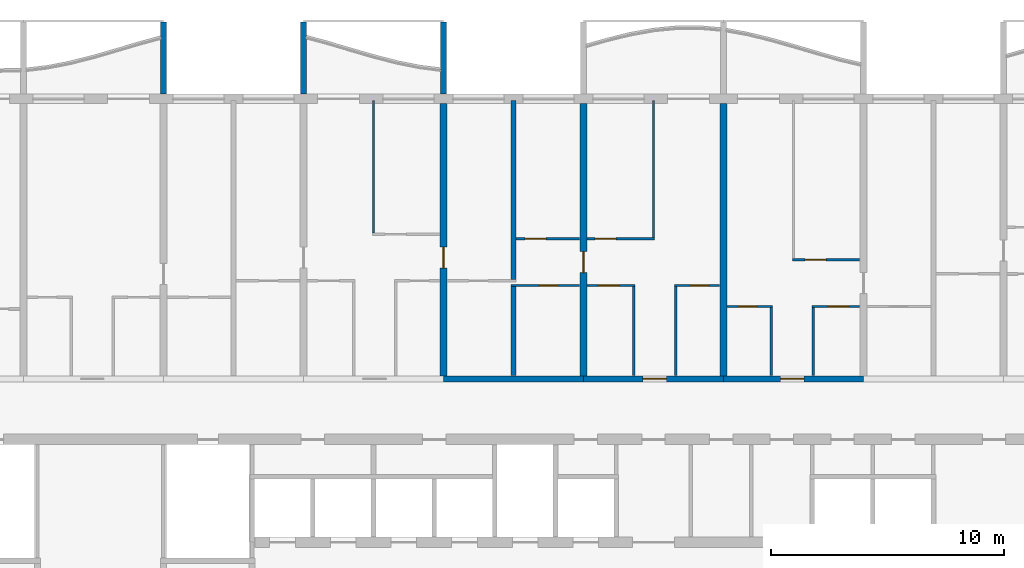
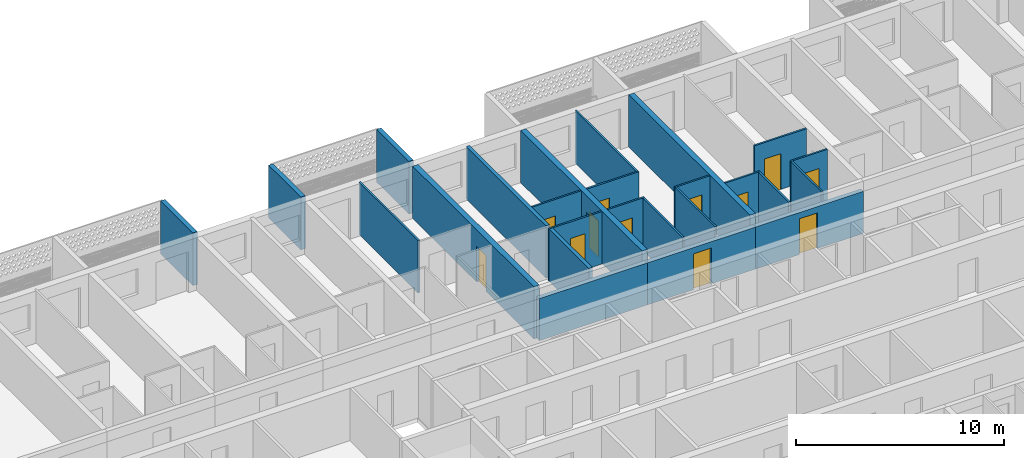
# One storey, part 9 of 31: 25 walls, 12 doors, 12 openings.
"""IFC4 building model written with IfcOpenShell, lengths in metres."""

from ifc_helpers import new_model, si_unit, direction, frame, frame_2d, origin, place, context, subcontext, project, spatial, polyline, rectangle, outline, extrude, source, transform, mapped, material, layer, layer_set, type_object, element, fill, save


model = new_model("IFC4")

# Units and contexts
model_context = context("Model", 3, precision=1e-05, world=origin(), true_north=direction((0.0, 1.0)))
body_context = subcontext(model_context, "Body", "Model", "MODEL_VIEW")
ifc_project = project(units=[si_unit("LENGTHUNIT", "METRE"), si_unit("AREAUNIT", "SQUARE_METRE"), si_unit("VOLUMEUNIT", "CUBIC_METRE"), si_unit("PLANEANGLEUNIT", "RADIAN"), si_unit("MASSUNIT", "GRAM", prefix="KILO")], contexts=[model_context])

# Site, building, storey
site_placement = place(None, origin())
site = spatial("IfcSite", under=ifc_project, at=site_placement, CompositionType="ELEMENT")
building_placement = place(site_placement, origin())
building = spatial("IfcBuilding", under=site, at=building_placement, Name="Poui Terraces", CompositionType="ELEMENT")
storey_placement = place(building_placement, frame((0.0, 0.0, 148.800048828125)))
storey = spatial("IfcBuildingStorey", under=building, at=storey_placement, Name="L41", CompositionType="ELEMENT", Elevation=148.800048828125)

# Wall
ifc_material_1 = material(Name="Concrete 65 MPa", Category="concrete")
ifc_layer_1 = layer(ifc_material_1, 0.25)
ifc_layer_set_1 = layer_set([ifc_layer_1], Name="Concrete 65 MPa")
wall_type_1 = type_object("IfcWallType", Name="CORRIDOR WALL 250 65MPa", PredefinedType="SHEAR", material=ifc_layer_set_1)
wall_1_placement = place(storey_placement, frame((42.0, 30.39990234375, 0.0), z_axis=(0.0, 0.0, 1.0), x_axis=(1.0, 0.0, 0.0)))
element("IfcWall", 1, at=wall_1_placement, inside=storey, type_object=wall_type_1, Name="CORRIDOR WALL LINE E BAY 6", PredefinedType="SHEAR", context=body_context, shape_type="SweptSolid", body=[
    extrude(rectangle(XDim=6.0, YDim=0.25, at=frame_2d((3.0, 0.0))), origin(), (0.0, 0.0, 1.0), 2.469970703125),
])

# Wall, opening, door
wall_2_placement = place(storey_placement, frame((48.0, 30.39990234375, 0.0), z_axis=(0.0, 0.0, 1.0), x_axis=(1.0, 0.0, 0.0)))
wall_2 = element("IfcWall", 2, at=wall_2_placement, inside=storey, type_object=wall_type_1, Name="CORRIDOR WALL LINE E BAY 7", PredefinedType="SHEAR", context=body_context, shape_type="SweptSolid", body=[
    extrude(rectangle(XDim=6.0, YDim=0.25, at=frame_2d((3.0, 0.0))), origin(), (0.0, 0.0, 1.0), 2.469970703125),
])
opening_1_placement = place(wall_2_placement, frame((2.550048828125, 0.0, 0.0)))
opening_1 = element("IfcOpeningElement", 3, at=opening_1_placement, cuts=wall_2, Name="Opening FD30S", PredefinedType="OPENING", context=body_context, shape_type="SweptSolid", body=[
    extrude(rectangle(XDim=1.0, YDim=2.10009765625, at=frame_2d((0.5, 1.050048828125))), frame((0.0, 0.135009765625, 0.0), z_axis=(0.0, -1.0, 0.0), x_axis=(1.0, 0.0, 0.0)), (0.0, 0.0, 1.0), 0.27001953125),
])
ifc_material_2 = material(Name="Steel fire door", Category="steel")
door_type_1 = type_object("IfcDoorType", Name="FLAT ENTRANCE DOOR 1000 X 2100", OperationType="NOTDEFINED", PredefinedType="DOOR", material=ifc_material_2)
door_1_placement = place(opening_1_placement, origin())
door_1 = element("IfcDoor", 4, at=door_1_placement, inside=storey, type_object=door_type_1, Name="FLAT ENTRANCE DOOR 055", OperationType="SINGLE_SWING_RIGHT", OverallHeight=2.10009765625, OverallWidth=1.0, PredefinedType="DOOR", context=body_context, shape_type="SweptSolid", body=[
    extrude(rectangle(XDim=1.0, YDim=2.10009765625, at=frame_2d((0.5, 1.050048828125))), frame((0.0, 0.02490234375, 0.0), z_axis=(0.0, -1.0, 0.0), x_axis=(1.0, 0.0, 0.0)), (0.0, 0.0, 1.0), 0.050048828125),
])
fill(opening_1, door_1)

wall_3_placement = place(storey_placement, frame((54.0, 30.39990234375, 0.0), z_axis=(0.0, 0.0, 1.0), x_axis=(1.0, 0.0, 0.0)))
wall_3 = element("IfcWall", 5, at=wall_3_placement, inside=storey, type_object=wall_type_1, Name="CORRIDOR WALL LINE E BAY 8", PredefinedType="SHEAR", context=body_context, shape_type="SweptSolid", body=[
    extrude(rectangle(XDim=6.0, YDim=0.25, at=frame_2d((3.0, 0.0))), origin(), (0.0, 0.0, 1.0), 2.469970703125),
])
opening_2_placement = place(wall_3_placement, frame((2.449951171875, 0.0, 0.0)))
opening_2 = element("IfcOpeningElement", 6, at=opening_2_placement, cuts=wall_3, Name="Opening FD30S", PredefinedType="OPENING", context=body_context, shape_type="SweptSolid", body=[
    extrude(rectangle(XDim=1.0, YDim=2.10009765625, at=frame_2d((0.5, 1.050048828125))), frame((0.0, 0.135009765625, 0.0), z_axis=(0.0, -1.0, 0.0), x_axis=(1.0, 0.0, 0.0)), (0.0, 0.0, 1.0), 0.27001953125),
])
door_2_placement = place(opening_2_placement, origin())
door_2 = element("IfcDoor", 7, at=door_2_placement, inside=storey, type_object=door_type_1, Name="FLAT ENTRANCE DOOR 059", OperationType="SINGLE_SWING_LEFT", OverallHeight=2.10009765625, OverallWidth=1.0, PredefinedType="DOOR", context=body_context, shape_type="SweptSolid", body=[
    extrude(rectangle(XDim=1.0, YDim=2.10009765625, at=frame_2d((0.5, 1.050048828125))), frame((0.0, 0.02490234375, 0.0), z_axis=(0.0, -1.0, 0.0), x_axis=(1.0, 0.0, 0.0)), (0.0, 0.0, 1.0), 0.050048828125),
])
fill(opening_2, door_2)

ifc_layer_2 = layer(ifc_material_1, 0.300048828125)
ifc_layer_set_2 = layer_set([ifc_layer_2], Name="Concrete 65 MPa")
wall_type_2 = type_object("IfcWallType", Name="CROSS WALL 300 65MPa", PredefinedType="SHEAR", material=ifc_layer_set_2)
wall_4_placement = place(storey_placement, frame((42.0, 30.52490234375, 0.0), z_axis=(0.0, 0.0, 1.0), x_axis=(0.0, 1.0, 0.0)))
wall_4 = element("IfcWall", 8, at=wall_4_placement, inside=storey, type_object=wall_type_2, Name="CROSS WALL LINE 8 NORTH", PredefinedType="SHEAR", context=body_context, shape_type="SweptSolid", body=[
    extrude(rectangle(XDim=11.675048828125, YDim=0.300048828125, at=frame_2d((5.83740234375, 0.0))), origin(), (0.0, 0.0, 1.0), 3.070068359375),
])
opening_3_placement = place(wall_4_placement, frame((4.625, 0.0, 0.0)))
opening_3 = element("IfcOpeningElement", 9, at=opening_3_placement, cuts=wall_4, Name="Opening D90", PredefinedType="OPENING", context=body_context, shape_type="SweptSolid", body=[
    extrude(rectangle(XDim=0.89990234375, YDim=2.10009765625, at=frame_2d((0.449951171875, 1.050048828125))), frame((0.0, 0.16015625, 0.0), z_axis=(0.0, -1.0, 0.0), x_axis=(1.0, 0.0, 0.0)), (0.0, 0.0, 1.0), 0.320068359375),
])
ifc_material_3 = material(Name="Solid core timber door", Category="wood")
door_type_2 = type_object("IfcDoorType", Name="INTERNAL DOOR 900 X 2100", OperationType="NOTDEFINED", PredefinedType="DOOR", material=ifc_material_3)
door_3_placement = place(opening_3_placement, frame((0.89990234375, 0.0, 0.0), z_axis=(0.0, 0.0, 1.0), x_axis=(-1.0, 0.0, 0.0)))
door_3 = element("IfcDoor", 10, at=door_3_placement, inside=storey, type_object=door_type_2, Name="INTERNAL DOOR 049", OperationType="SINGLE_SWING_RIGHT", OverallHeight=2.10009765625, OverallWidth=0.89990234375, PredefinedType="DOOR", context=body_context, shape_type="SweptSolid", body=[
    extrude(rectangle(XDim=0.89990234375, YDim=2.10009765625, at=frame_2d((0.449951171875, 1.050048828125))), frame((0.0, 0.02490234375, 0.0), z_axis=(0.0, -1.0, 0.0), x_axis=(1.0, 0.0, 0.0)), (0.0, 0.0, 1.0), 0.050048828125),
])
fill(opening_3, door_3)

wall_5_placement = place(storey_placement, frame((48.0, 30.52490234375, 0.0), z_axis=(0.0, 0.0, 1.0), x_axis=(0.0, 1.0, 0.0)))
wall_5 = element("IfcWall", 11, at=wall_5_placement, inside=storey, type_object=wall_type_2, Name="CROSS WALL LINE 9 NORTH", PredefinedType="SHEAR", context=body_context, shape_type="SweptSolid", body=[
    extrude(rectangle(XDim=11.675048828125, YDim=0.300048828125, at=frame_2d((5.83740234375, 0.0))), origin(), (0.0, 0.0, 1.0), 3.070068359375),
])
opening_4_placement = place(wall_5_placement, frame((4.425048828125, 0.0, 0.0)))
opening_4 = element("IfcOpeningElement", 12, at=opening_4_placement, cuts=wall_5, Name="Opening D90", PredefinedType="OPENING", context=body_context, shape_type="SweptSolid", body=[
    extrude(rectangle(XDim=0.89990234375, YDim=2.10009765625, at=frame_2d((0.449951171875, 1.050048828125))), frame((0.0, 0.16015625, 0.0), z_axis=(0.0, -1.0, 0.0), x_axis=(1.0, 0.0, 0.0)), (0.0, 0.0, 1.0), 0.320068359375),
])
door_4_placement = place(opening_4_placement, frame((0.89990234375, 0.0, 0.0), z_axis=(0.0, 0.0, 1.0), x_axis=(-1.0, 0.0, 0.0)))
door_4 = element("IfcDoor", 13, at=door_4_placement, inside=storey, type_object=door_type_2, Name="INTERNAL DOOR 052", OperationType="SINGLE_SWING_RIGHT", OverallHeight=2.10009765625, OverallWidth=0.89990234375, PredefinedType="DOOR", context=body_context, shape_type="SweptSolid", body=[
    extrude(rectangle(XDim=0.89990234375, YDim=2.10009765625, at=frame_2d((0.449951171875, 1.050048828125))), frame((0.0, 0.02490234375, 0.0), z_axis=(0.0, -1.0, 0.0), x_axis=(1.0, 0.0, 0.0)), (0.0, 0.0, 1.0), 0.050048828125),
])
fill(opening_4, door_4)

# Wall
wall_6_placement = place(storey_placement, frame((54.0, 30.52490234375, 0.0), z_axis=(0.0, 0.0, 1.0), x_axis=(0.0, 1.0, 0.0)))
element("IfcWall", 14, at=wall_6_placement, inside=storey, type_object=wall_type_2, Name="CROSS WALL LINE 10 NORTH", PredefinedType="SHEAR", context=body_context, shape_type="SweptSolid", body=[
    extrude(rectangle(XDim=11.675048828125, YDim=0.300048828125, at=frame_2d((5.83740234375, 0.0))), origin(), (0.0, 0.0, 1.0), 3.070068359375),
])

# Wall, opening, door
ifc_material_4 = material(Name="Plasterboard partition")
ifc_layer_3 = layer(ifc_material_4, 0.10009765625)
ifc_layer_set_3 = layer_set([ifc_layer_3], Name="Plasterboard partition")
wall_type_3 = type_object("IfcWallType", Name="FLAT PARTITION 100", PredefinedType="PARTITIONING", material=ifc_layer_set_3)
wall_7_placement = place(storey_placement, frame((54.159912109375, 33.5, 0.0), z_axis=(0.0, 0.0, 1.0), x_axis=(1.0, 0.0, 0.0)))
wall_7 = element("IfcWall", 15, at=wall_7_placement, inside=storey, type_object=wall_type_3, Name="FLAT PARTITION 100", PredefinedType="PARTITIONING", context=body_context, shape_type="SweptSolid", body=[
    extrude(rectangle(XDim=1.940185546875, YDim=0.10009765625, at=frame_2d((0.97021484375, 0.0))), origin(), (0.0, 0.0, 1.0), 3.070068359375),
])
opening_5_placement = place(wall_7_placement, frame((0.465087890625, 0.0, 0.0)))
opening_5 = element("IfcOpeningElement", 16, at=opening_5_placement, cuts=wall_7, Name="Opening D80", PredefinedType="OPENING", context=body_context, shape_type="SweptSolid", body=[
    extrude(rectangle(XDim=0.800048828125, YDim=2.10009765625, at=frame_2d((0.39990234375, 1.050048828125))), frame((0.0, 0.06005859375, 0.0), z_axis=(0.0, -1.0, 0.0), x_axis=(1.0, 0.0, 0.0)), (0.0, 0.0, 1.0), 0.1201171875),
])
door_type_3 = type_object("IfcDoorType", Name="BATHROOM, LAUNDRY AND STORE DOOR 800 X 2100", OperationType="NOTDEFINED", PredefinedType="DOOR", material=ifc_material_3)
door_5_placement = place(opening_5_placement, frame((0.800048828125, 0.0, 0.0), z_axis=(0.0, 0.0, 1.0), x_axis=(-1.0, 0.0, 0.0)))
door_5 = element("IfcDoor", 17, at=door_5_placement, inside=storey, type_object=door_type_3, Name="BATHROOM, LAUNDRY AND STORE DOOR 058", OperationType="SINGLE_SWING_LEFT", OverallHeight=2.10009765625, OverallWidth=0.800048828125, PredefinedType="DOOR", context=body_context, shape_type="SweptSolid", body=[
    extrude(rectangle(XDim=0.800048828125, YDim=2.10009765625, at=frame_2d((0.39990234375, 1.050048828125))), frame((0.0, 0.02490234375, 0.0), z_axis=(0.0, -1.0, 0.0), x_axis=(1.0, 0.0, 0.0)), (0.0, 0.0, 1.0), 0.050048828125),
])
fill(opening_5, door_5)

wall_8_placement = place(storey_placement, frame((57.800048828125, 33.5, 0.0), z_axis=(0.0, 0.0, 1.0), x_axis=(1.0, 0.0, 0.0)))
wall_8 = element("IfcWall", 18, at=wall_8_placement, inside=storey, type_object=wall_type_3, Name="FLAT PARTITION 100", PredefinedType="PARTITIONING", context=body_context, shape_type="SweptSolid", body=[
    extrude(rectangle(XDim=2.0400390625, YDim=0.10009765625, at=frame_2d((1.02001953125, 0.0))), origin(), (0.0, 0.0, 1.0), 3.070068359375),
])
opening_6_placement = place(wall_8_placement, frame((0.675048828125, 0.0, 0.0)))
opening_6 = element("IfcOpeningElement", 19, at=opening_6_placement, cuts=wall_8, Name="Opening D90", PredefinedType="OPENING", context=body_context, shape_type="SweptSolid", body=[
    extrude(rectangle(XDim=0.89990234375, YDim=2.10009765625, at=frame_2d((0.449951171875, 1.050048828125))), frame((0.0, 0.06005859375, 0.0), z_axis=(0.0, -1.0, 0.0), x_axis=(1.0, 0.0, 0.0)), (0.0, 0.0, 1.0), 0.1201171875),
])
door_6_placement = place(opening_6_placement, frame((0.89990234375, 0.0, 0.0), z_axis=(0.0, 0.0, 1.0), x_axis=(-1.0, 0.0, 0.0)))
door_6 = element("IfcDoor", 20, at=door_6_placement, inside=storey, type_object=door_type_2, Name="INTERNAL DOOR 061", OperationType="SINGLE_SWING_RIGHT", OverallHeight=2.10009765625, OverallWidth=0.89990234375, PredefinedType="DOOR", context=body_context, shape_type="SweptSolid", body=[
    extrude(rectangle(XDim=0.89990234375, YDim=2.10009765625, at=frame_2d((0.449951171875, 1.050048828125))), frame((0.0, 0.02490234375, 0.0), z_axis=(0.0, -1.0, 0.0), x_axis=(1.0, 0.0, 0.0)), (0.0, 0.0, 1.0), 0.050048828125),
])
fill(opening_6, door_6)

wall_9_placement = place(storey_placement, frame((44.89990234375, 34.39990234375, 0.0), z_axis=(0.0, 0.0, 1.0), x_axis=(1.0, 0.0, 0.0)))
wall_9 = element("IfcWall", 21, at=wall_9_placement, inside=storey, type_object=wall_type_3, Name="FLAT PARTITION 100", PredefinedType="PARTITIONING", context=body_context, shape_type="SweptSolid", body=[
    extrude(rectangle(XDim=2.940185546875, YDim=0.10009765625, at=frame_2d((1.47021484375, 0.0))), origin(), (0.0, 0.0, 1.0), 3.070068359375),
])
opening_7_placement = place(wall_9_placement, frame((1.199951171875, 0.0, 0.0)))
opening_7 = element("IfcOpeningElement", 22, at=opening_7_placement, cuts=wall_9, Name="Opening D80", PredefinedType="OPENING", context=body_context, shape_type="SweptSolid", body=[
    extrude(rectangle(XDim=0.800048828125, YDim=2.10009765625, at=frame_2d((0.39990234375, 1.050048828125))), frame((0.0, 0.06005859375, 0.0), z_axis=(0.0, -1.0, 0.0), x_axis=(1.0, 0.0, 0.0)), (0.0, 0.0, 1.0), 0.1201171875),
])
door_7_placement = place(opening_7_placement, frame((0.800048828125, 0.0, 0.0), z_axis=(0.0, 0.0, 1.0), x_axis=(-1.0, 0.0, 0.0)))
door_7 = element("IfcDoor", 23, at=door_7_placement, inside=storey, type_object=door_type_3, Name="BATHROOM, LAUNDRY AND STORE DOOR 051", OperationType="SINGLE_SWING_LEFT", OverallHeight=2.10009765625, OverallWidth=0.800048828125, PredefinedType="DOOR", context=body_context, shape_type="SweptSolid", body=[
    extrude(rectangle(XDim=0.800048828125, YDim=2.10009765625, at=frame_2d((0.39990234375, 1.050048828125))), frame((0.0, 0.02490234375, 0.0), z_axis=(0.0, -1.0, 0.0), x_axis=(1.0, 0.0, 0.0)), (0.0, 0.0, 1.0), 0.050048828125),
])
fill(opening_7, door_7)

wall_10_placement = place(storey_placement, frame((48.159912109375, 34.39990234375, 0.0), z_axis=(0.0, 0.0, 1.0), x_axis=(1.0, 0.0, 0.0)))
wall_10 = element("IfcWall", 24, at=wall_10_placement, inside=storey, type_object=wall_type_3, Name="FLAT PARTITION 100", PredefinedType="PARTITIONING", context=body_context, shape_type="SweptSolid", body=[
    extrude(rectangle(XDim=2.0400390625, YDim=0.10009765625, at=frame_2d((1.02001953125, 0.0))), origin(), (0.0, 0.0, 1.0), 3.070068359375),
])
opening_8_placement = place(wall_10_placement, frame((0.465087890625, 0.0, 0.0)))
opening_8 = element("IfcOpeningElement", 25, at=opening_8_placement, cuts=wall_10, Name="Opening D90", PredefinedType="OPENING", context=body_context, shape_type="SweptSolid", body=[
    extrude(rectangle(XDim=0.89990234375, YDim=2.10009765625, at=frame_2d((0.449951171875, 1.050048828125))), frame((0.0, 0.06005859375, 0.0), z_axis=(0.0, -1.0, 0.0), x_axis=(1.0, 0.0, 0.0)), (0.0, 0.0, 1.0), 0.1201171875),
])
door_8_placement = place(opening_8_placement, frame((0.89990234375, 0.0, 0.0), z_axis=(0.0, 0.0, 1.0), x_axis=(-1.0, 0.0, 0.0)))
door_8 = element("IfcDoor", 26, at=door_8_placement, inside=storey, type_object=door_type_2, Name="INTERNAL DOOR 054", OperationType="SINGLE_SWING_RIGHT", OverallHeight=2.10009765625, OverallWidth=0.89990234375, PredefinedType="DOOR", context=body_context, shape_type="SweptSolid", body=[
    extrude(rectangle(XDim=0.89990234375, YDim=2.10009765625, at=frame_2d((0.449951171875, 1.050048828125))), frame((0.0, 0.02490234375, 0.0), z_axis=(0.0, -1.0, 0.0), x_axis=(1.0, 0.0, 0.0)), (0.0, 0.0, 1.0), 0.050048828125),
])
fill(opening_8, door_8)

wall_11_placement = place(storey_placement, frame((51.89990234375, 34.39990234375, 0.0), z_axis=(0.0, 0.0, 1.0), x_axis=(1.0, 0.0, 0.0)))
wall_11 = element("IfcWall", 27, at=wall_11_placement, inside=storey, type_object=wall_type_3, Name="FLAT PARTITION 100", PredefinedType="PARTITIONING", context=body_context, shape_type="SweptSolid", body=[
    extrude(rectangle(XDim=1.940185546875, YDim=0.10009765625, at=frame_2d((0.97021484375, 0.0))), origin(), (0.0, 0.0, 1.0), 3.070068359375),
])
opening_9_placement = place(wall_11_placement, frame((0.675048828125, 0.0, 0.0)))
opening_9 = element("IfcOpeningElement", 28, at=opening_9_placement, cuts=wall_11, Name="Opening D80", PredefinedType="OPENING", context=body_context, shape_type="SweptSolid", body=[
    extrude(rectangle(XDim=0.800048828125, YDim=2.10009765625, at=frame_2d((0.39990234375, 1.050048828125))), frame((0.0, 0.06005859375, 0.0), z_axis=(0.0, -1.0, 0.0), x_axis=(1.0, 0.0, 0.0)), (0.0, 0.0, 1.0), 0.1201171875),
])
door_9_placement = place(opening_9_placement, frame((0.800048828125, 0.0, 0.0), z_axis=(0.0, 0.0, 1.0), x_axis=(-1.0, 0.0, 0.0)))
door_9 = element("IfcDoor", 29, at=door_9_placement, inside=storey, type_object=door_type_3, Name="BATHROOM, LAUNDRY AND STORE DOOR 056", OperationType="SINGLE_SWING_LEFT", OverallHeight=2.10009765625, OverallWidth=0.800048828125, PredefinedType="DOOR", context=body_context, shape_type="SweptSolid", body=[
    extrude(rectangle(XDim=0.800048828125, YDim=2.10009765625, at=frame_2d((0.39990234375, 1.050048828125))), frame((0.0, 0.02490234375, 0.0), z_axis=(0.0, -1.0, 0.0), x_axis=(1.0, 0.0, 0.0)), (0.0, 0.0, 1.0), 0.050048828125),
])
fill(opening_9, door_9)

wall_12_placement = place(storey_placement, frame((56.949951171875, 35.5, 0.0), z_axis=(0.0, 0.0, 1.0), x_axis=(1.0, 0.0, 0.0)))
wall_12 = element("IfcWall", 30, at=wall_12_placement, inside=storey, type_object=wall_type_3, Name="FLAT PARTITION 100", PredefinedType="PARTITIONING", context=body_context, shape_type="SweptSolid", body=[
    extrude(rectangle(XDim=2.89013671875, YDim=0.10009765625, at=frame_2d((1.445068359375, 0.0))), origin(), (0.0, 0.0, 1.0), 3.070068359375),
])
opening_10_placement = place(wall_12_placement, frame((0.550048828125, 0.0, 0.0)))
opening_10 = element("IfcOpeningElement", 31, at=opening_10_placement, cuts=wall_12, Name="Opening D90", PredefinedType="OPENING", context=body_context, shape_type="SweptSolid", body=[
    extrude(rectangle(XDim=0.89990234375, YDim=2.10009765625, at=frame_2d((0.449951171875, 1.050048828125))), frame((0.0, 0.06005859375, 0.0), z_axis=(0.0, -1.0, 0.0), x_axis=(1.0, 0.0, 0.0)), (0.0, 0.0, 1.0), 0.1201171875),
])
door_10_placement = place(opening_10_placement, frame((0.89990234375, 0.0, 0.0), z_axis=(0.0, 0.0, 1.0), x_axis=(-1.0, 0.0, 0.0)))
door_10 = element("IfcDoor", 32, at=door_10_placement, inside=storey, type_object=door_type_2, Name="INTERNAL DOOR 060", OperationType="SINGLE_SWING_LEFT", OverallHeight=2.10009765625, OverallWidth=0.89990234375, PredefinedType="DOOR", context=body_context, shape_type="SweptSolid", body=[
    extrude(rectangle(XDim=0.89990234375, YDim=2.10009765625, at=frame_2d((0.449951171875, 1.050048828125))), frame((0.0, 0.02490234375, 0.0), z_axis=(0.0, -1.0, 0.0), x_axis=(1.0, 0.0, 0.0)), (0.0, 0.0, 1.0), 0.050048828125),
])
fill(opening_10, door_10)

wall_13_placement = place(storey_placement, frame((45.10009765625, 36.39990234375, 0.0), z_axis=(0.0, 0.0, 1.0), x_axis=(1.0, 0.0, 0.0)))
wall_13 = element("IfcWall", 33, at=wall_13_placement, inside=storey, type_object=wall_type_3, Name="FLAT PARTITION 100", PredefinedType="PARTITIONING", context=body_context, shape_type="SweptSolid", body=[
    extrude(rectangle(XDim=2.739990234375, YDim=0.10009765625, at=frame_2d((1.3701171875, 0.0))), origin(), (0.0, 0.0, 1.0), 3.070068359375),
])
opening_11_placement = place(wall_13_placement, frame((0.39990234375, 0.0, 0.0)))
opening_11 = element("IfcOpeningElement", 34, at=opening_11_placement, cuts=wall_13, Name="Opening D90", PredefinedType="OPENING", context=body_context, shape_type="SweptSolid", body=[
    extrude(rectangle(XDim=0.89990234375, YDim=2.10009765625, at=frame_2d((0.449951171875, 1.050048828125))), frame((0.0, 0.06005859375, 0.0), z_axis=(0.0, -1.0, 0.0), x_axis=(1.0, 0.0, 0.0)), (0.0, 0.0, 1.0), 0.1201171875),
])
door_11_placement = place(opening_11_placement, origin())
door_11 = element("IfcDoor", 35, at=door_11_placement, inside=storey, type_object=door_type_2, Name="INTERNAL DOOR 050", OperationType="SINGLE_SWING_LEFT", OverallHeight=2.10009765625, OverallWidth=0.89990234375, PredefinedType="DOOR", context=body_context, shape_type="SweptSolid", body=[
    extrude(rectangle(XDim=0.89990234375, YDim=2.10009765625, at=frame_2d((0.449951171875, 1.050048828125))), frame((0.0, 0.02490234375, 0.0), z_axis=(0.0, -1.0, 0.0), x_axis=(1.0, 0.0, 0.0)), (0.0, 0.0, 1.0), 0.050048828125),
])
fill(opening_11, door_11)

wall_14_placement = place(storey_placement, frame((48.159912109375, 36.39990234375, 0.0), z_axis=(0.0, 0.0, 1.0), x_axis=(1.0, 0.0, 0.0)))
wall_14 = element("IfcWall", 36, at=wall_14_placement, inside=storey, type_object=wall_type_3, Name="FLAT PARTITION 100", PredefinedType="PARTITIONING", context=body_context, shape_type="SweptSolid", body=[
    extrude(rectangle(XDim=2.89013671875, YDim=0.10009765625, at=frame_2d((1.445068359375, 0.0))), origin(), (0.0, 0.0, 1.0), 3.070068359375),
])
opening_12_placement = place(wall_14_placement, frame((0.340087890625, 0.0, 0.0)))
opening_12 = element("IfcOpeningElement", 37, at=opening_12_placement, cuts=wall_14, Name="Opening D90", PredefinedType="OPENING", context=body_context, shape_type="SweptSolid", body=[
    extrude(rectangle(XDim=0.89990234375, YDim=2.10009765625, at=frame_2d((0.449951171875, 1.050048828125))), frame((0.0, 0.06005859375, 0.0), z_axis=(0.0, -1.0, 0.0), x_axis=(1.0, 0.0, 0.0)), (0.0, 0.0, 1.0), 0.1201171875),
])
door_12_placement = place(opening_12_placement, frame((0.89990234375, 0.0, 0.0), z_axis=(0.0, 0.0, 1.0), x_axis=(-1.0, 0.0, 0.0)))
door_12 = element("IfcDoor", 38, at=door_12_placement, inside=storey, type_object=door_type_2, Name="INTERNAL DOOR 053", OperationType="SINGLE_SWING_LEFT", OverallHeight=2.10009765625, OverallWidth=0.89990234375, PredefinedType="DOOR", context=body_context, shape_type="SweptSolid", body=[
    extrude(rectangle(XDim=0.89990234375, YDim=2.10009765625, at=frame_2d((0.449951171875, 1.050048828125))), frame((0.0, 0.02490234375, 0.0), z_axis=(0.0, -1.0, 0.0), x_axis=(1.0, 0.0, 0.0)), (0.0, 0.0, 1.0), 0.050048828125),
])
fill(opening_12, door_12)

# Walls
wall_15_placement = place(storey_placement, frame((39.0, 36.64990234375, 0.0), z_axis=(0.0, 0.0, 1.0), x_axis=(0.0, 1.0, 0.0)))
element("IfcWall", 39, at=wall_15_placement, inside=storey, type_object=wall_type_3, Name="FLAT PARTITION 100", PredefinedType="PARTITIONING", context=body_context, shape_type="SweptSolid", body=[
    extrude(rectangle(XDim=5.690185546875, YDim=0.10009765625, at=frame_2d((2.84521484375, 0.0))), origin(), (0.0, 0.0, 1.0), 3.070068359375),
])
wall_16_placement = place(storey_placement, frame((50.14990234375, 30.534912109375, 0.0), z_axis=(0.0, 0.0, 1.0), x_axis=(0.0, 1.0, 0.0)))
element("IfcWall", 40, at=wall_16_placement, inside=storey, type_object=wall_type_3, Name="FLAT PARTITION 100", PredefinedType="PARTITIONING", context=body_context, shape_type="SweptSolid", body=[
    extrude(rectangle(XDim=3.815185546875, YDim=0.10009765625, at=frame_2d((1.90771484375, 0.0))), origin(), (0.0, 0.0, 1.0), 3.070068359375),
])
wall_17_placement = place(storey_placement, frame((51.0, 36.449951171875, 0.0), z_axis=(0.0, 0.0, 1.0), x_axis=(0.0, 1.0, 0.0)))
element("IfcWall", 41, at=wall_17_placement, inside=storey, type_object=wall_type_3, Name="FLAT PARTITION 100", PredefinedType="PARTITIONING", context=body_context, shape_type="SweptSolid", body=[
    extrude(rectangle(XDim=5.89013671875, YDim=0.10009765625, at=frame_2d((2.945068359375, 0.0))), origin(), (0.0, 0.0, 1.0), 3.070068359375),
])
wall_18_placement = place(storey_placement, frame((51.949951171875, 30.534912109375, 0.0), z_axis=(0.0, 0.0, 1.0), x_axis=(0.0, 1.0, 0.0)))
element("IfcWall", 42, at=wall_18_placement, inside=storey, type_object=wall_type_3, Name="FLAT PARTITION 100", PredefinedType="PARTITIONING", context=body_context, shape_type="SweptSolid", body=[
    extrude(rectangle(XDim=3.815185546875, YDim=0.10009765625, at=frame_2d((1.90771484375, 0.0))), origin(), (0.0, 0.0, 1.0), 3.070068359375),
])
for number, where, z_axis, x_axis, name in (
    (43, (56.050048828125, 30.534912109375, 0.0), (0.0, 0.0, 1.0), (0.0, 1.0, 0.0), "FLAT PARTITION 100"),
    (44, (57.85009765625, 30.534912109375, 0.0), (0.0, 0.0, 1.0), (0.0, 1.0, 0.0), "FLAT PARTITION 100"),
):
    element("IfcWall", number, at=place(storey_placement, frame(where, z_axis=z_axis, x_axis=x_axis)), inside=storey, type_object=wall_type_3, Name=name, PredefinedType="PARTITIONING", context=body_context, shape_type="SweptSolid", body=[
        extrude(rectangle(XDim=2.9150390625, YDim=0.10009765625, at=frame_2d((1.45751953125, 0.0))), origin(), (0.0, 0.0, 1.0), 3.070068359375),
    ])
ifc_material_5 = material(Name="Fire-rated masonry wall", Category="masonry")
ifc_layer_4 = layer(ifc_material_5, 0.199951171875)
ifc_layer_set_4 = layer_set([ifc_layer_4], Name="Fire-rated masonry wall")
wall_type_4 = type_object("IfcWallType", Name="FLAT PARTY WALL 200", PredefinedType="PARTITIONING", material=ifc_layer_set_4)
wall_19_placement = place(storey_placement, frame((45.0, 30.534912109375, 0.0), z_axis=(0.0, 0.0, 1.0), x_axis=(0.0, 1.0, 0.0)))
element("IfcWall", 45, at=wall_19_placement, inside=storey, type_object=wall_type_4, Name="FLAT PARTY WALL 200", PredefinedType="PARTITIONING", context=body_context, shape_type="SweptSolid", body=[
    extrude(rectangle(XDim=3.815185546875, YDim=0.199951171875, at=frame_2d((1.90771484375, 0.0))), origin(), (0.0, 0.0, 1.0), 3.070068359375),
])
wall_20_placement = place(storey_placement, frame((45.0, 34.64990234375, 0.0), z_axis=(0.0, 0.0, 1.0), x_axis=(0.0, 1.0, 0.0)))
element("IfcWall", 46, at=wall_20_placement, inside=storey, type_object=wall_type_4, Name="FLAT PARTY WALL 200", PredefinedType="PARTITIONING", context=body_context, shape_type="SweptSolid", body=[
    extrude(rectangle(XDim=7.690185546875, YDim=0.199951171875, at=frame_2d((3.84521484375, 0.0))), origin(), (0.0, 0.0, 1.0), 3.070068359375),
])
ifc_material_6 = material(Name="Precast concrete 40 MPa", Category="concrete")
ifc_layer_5 = layer(ifc_material_6, 0.25)
ifc_layer_set_5 = layer_set([ifc_layer_5], Name="Precast concrete 40 MPa")
wall_type_5 = type_object("IfcWallType", Name="BALCONY FIN 250", PredefinedType="STANDARD", material=ifc_layer_set_5)
shared_shape = source(origin(), body_context, "Body", "SweptSolid", [
    extrude(outline(polyline([(0.0, 0.0), (0.25, 0.0), (0.25, 3.099853515625), (0.0, 3.099853515625), (0.0, 0.0)])), origin(), (0.0, 0.0, 1.0), 3.099853515625),
])
for number, where, name in (
    (47, (29.875, 42.60009765625, 0.0), "BALCONY FIN"),
    (48, (35.875, 42.60009765625, 0.0), "BALCONY FIN"),
    (49, (41.875, 42.60009765625, 0.0), "BALCONY FIN"),
):
    element("IfcWall", number, at=place(storey_placement, frame(where)), inside=storey, type_object=wall_type_5, Name=name, PredefinedType="STANDARD", context=body_context, shape_type="MappedRepresentation", body=[
        mapped(shared_shape, transform((0.0, 0.0, 0.0))),
    ])

save(model, "model.ifc")
